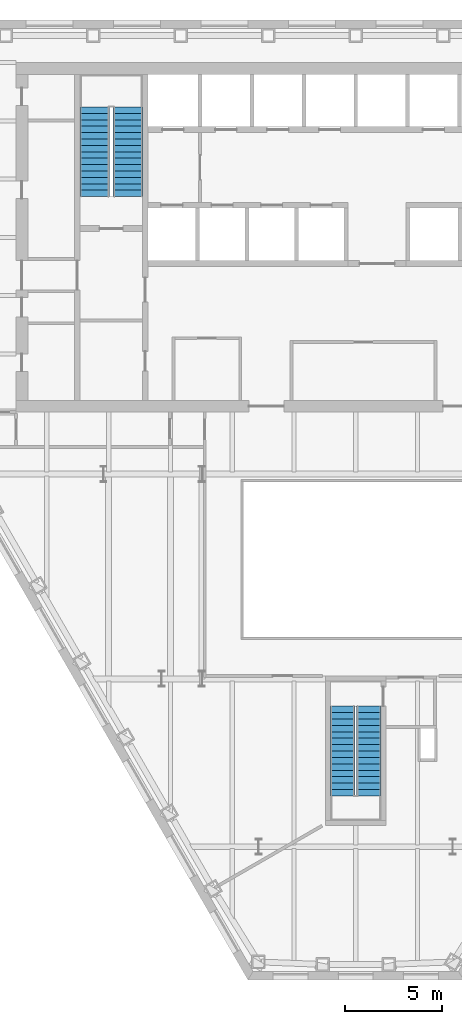
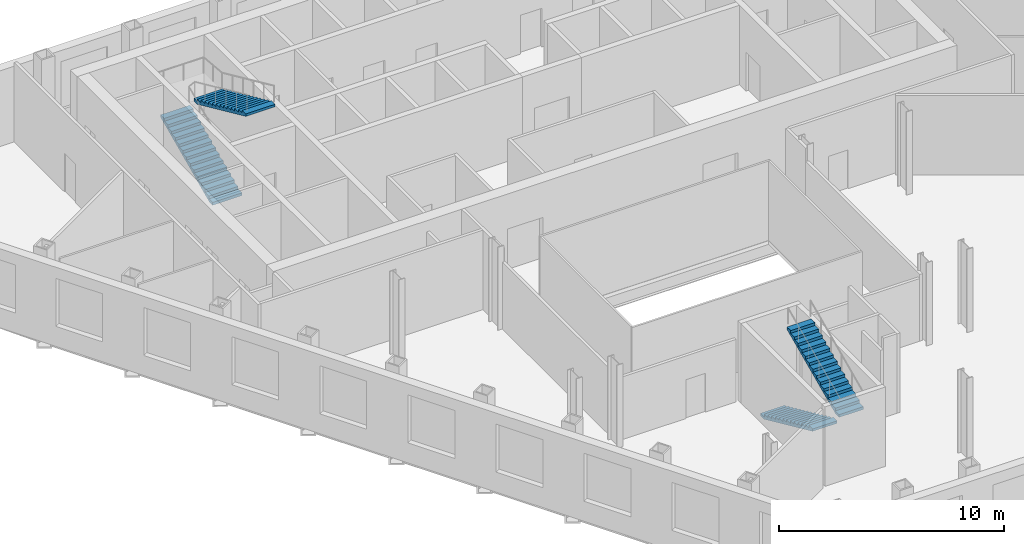
# One storey, part 10 of 12: 4 stair flights, 2 elements without a shape of their own.
"""IFC4 building model written with IfcOpenShell, lengths in metres."""

import ifcopenshell
import ifcopenshell.guid

model = None  # the IFC model being written
_history = None  # IfcOwnerHistory: only IFC2X3 demands one
_inside = {}  # id of a spatial element -> (the spatial element, [elements in it])
_under = {}  # id of a project, library or spatial element -> (it, [spatial elements below it])
_declared = {}  # id of a project -> (the project, [libraries it declares])
_typed = {}  # id of a type object -> (the type object, [elements of that type])
_made_of = {}  # id of a material, layer set ... -> (it, [elements and type objects made of it])


def new_model(schema):
    """Start an empty IFC model of exactly this schema.

    Asked for "IFC4X3", IfcOpenShell would pick the latest addendum, in which some entities
    have other attributes; the version numbers below select the first issue.
    IFC2X3 requires an IfcOwnerHistory on every rooted entity: one is made here for all.
    """
    global model, _history
    if schema == "IFC4X3":
        model = ifcopenshell.file(schema_version=(4, 3, 0, 0))
    else:
        model = ifcopenshell.file(schema=schema)
    _inside.clear()
    _under.clear()
    _declared.clear()
    _typed.clear()
    _made_of.clear()
    _history = None
    if model.schema == "IFC2X3":
        org = make("IfcOrganization", Name="unknown")
        user = make(
            "IfcPersonAndOrganization",
            ThePerson=make("IfcPerson", FamilyName="unknown"),
            TheOrganization=org,
        )
        app = make(
            "IfcApplication",
            ApplicationDeveloper=org,
            Version="unknown",
            ApplicationFullName="unknown",
            ApplicationIdentifier="unknown",
        )
        _history = make(
            "IfcOwnerHistory",
            OwningUser=user,
            OwningApplication=app,
            ChangeAction="ADDED",
            CreationDate=0,
        )
    return model


def make(cls, **values):
    """One entity of the class cls with the attributes given. An attribute that is None is left unset."""
    return model.create_entity(
        cls, **{name: value for name, value in values.items() if value is not None}
    )


def rooted(cls, **values):
    """An entity with a GlobalId (a new one), such as an element, a storey or a relation."""
    return make(cls, GlobalId=ifcopenshell.guid.new(), OwnerHistory=_history, **values)


def si_unit(unit_type, name, prefix=None):
    """IfcSIUnit, for example si_unit("LENGTHUNIT", "METRE", prefix="MILLI")."""
    return make("IfcSIUnit", UnitType=unit_type, Prefix=prefix, Name=name)


def assignment(units):
    """IfcUnitAssignment: the units of a project."""
    return None if units is None else make("IfcUnitAssignment", Units=units)


def point(xyz):
    """IfcCartesianPoint."""
    return None if xyz is None else make("IfcCartesianPoint", Coordinates=xyz)


def direction(xyz):
    """IfcDirection."""
    return None if xyz is None else make("IfcDirection", DirectionRatios=xyz)


def frame(location, z_axis=None, x_axis=None):
    """IfcAxis2Placement3D, a coordinate frame: its origin and axes. An axis left out is left unset."""
    return make(
        "IfcAxis2Placement3D",
        Location=point(location),
        Axis=direction(z_axis),
        RefDirection=direction(x_axis),
    )


def origin():
    """The frame at (0, 0, 0) with its axes left unset."""
    return frame((0.0, 0.0, 0.0))


def place(relative_to, where):
    """IfcLocalPlacement: puts the frame where relative to a parent placement (None: the world)."""
    return make(
        "IfcLocalPlacement", PlacementRelTo=relative_to, RelativePlacement=where
    )


def context(
    kind, dimensions, precision=None, world=None, true_north=None, identifier=None
):
    """IfcGeometricRepresentationContext, for example the 3D "Model" context."""
    return make(
        "IfcGeometricRepresentationContext",
        ContextIdentifier=identifier,
        ContextType=kind,
        CoordinateSpaceDimension=dimensions,
        Precision=precision,
        WorldCoordinateSystem=world,
        TrueNorth=true_north,
    )


def subcontext(parent, identifier, kind, view, scale=None):
    """IfcGeometricRepresentationSubContext, for example "Body" below "Model"."""
    return make(
        "IfcGeometricRepresentationSubContext",
        ContextIdentifier=identifier,
        ContextType=kind,
        ParentContext=parent,
        TargetScale=scale,
        TargetView=view,
    )


def project(units=None, contexts=None):
    """IfcProject with its units and contexts."""
    return rooted(
        "IfcProject",
        Name="project",
        RepresentationContexts=contexts,
        UnitsInContext=assignment(units),
    )


def spatial(cls, under=None, at=None, **own):
    """A site, building, storey or space (cls), placed at a placement, below another one or the project."""
    s = rooted(cls, ObjectPlacement=at, **own)
    if under is not None:
        _under.setdefault(under.id(), (under, []))[1].append(s)
    return s


def point_list(points):
    """IfcCartesianPointList2D or 3D."""
    cls = (
        "IfcCartesianPointList2D" if len(points[0]) == 2 else "IfcCartesianPointList3D"
    )
    return make(cls, CoordList=points)


def polygons(points, faces, closed=None, point_numbers=None):
    """IfcPolygonalFaceSet: a face is its outer loop, then its inner loops; points numbered from 1."""
    made = []
    for loops in faces:
        if len(loops) == 1:
            made.append(make("IfcIndexedPolygonalFace", CoordIndex=loops[0]))
        else:
            made.append(
                make(
                    "IfcIndexedPolygonalFaceWithVoids",
                    CoordIndex=loops[0],
                    InnerCoordIndices=loops[1:],
                )
            )
    return make(
        "IfcPolygonalFaceSet",
        Coordinates=point_list(points),
        Closed=closed,
        Faces=made,
        PnIndex=point_numbers,
    )


def shape(context_of_items, identifier, shape_type, items):
    """IfcShapeRepresentation: the items that make up one representation, for example the "Body"."""
    return make(
        "IfcShapeRepresentation",
        ContextOfItems=context_of_items,
        RepresentationIdentifier=identifier,
        RepresentationType=shape_type,
        Items=items,
    )


def material(Name=None, Category=None):
    """IfcMaterial."""
    return make("IfcMaterial", Name=Name, Category=Category)


def made_of(thing, what):
    """Note that an element or type object is made of a material, layer set ...; save() writes the relation."""
    if what is not None:
        _made_of.setdefault(what.id(), (what, []))[1].append(thing)
    return thing


def type_object(cls, material=None, **own):
    """A type object (cls), such as IfcWallType, which elements share."""
    return made_of(rooted(cls, **own), material)


def element(
    cls,
    number,
    at=None,
    inside=None,
    cuts=None,
    type_object=None,
    material=None,
    context=None,
    identifier="Body",
    shape_type=None,
    held_by="IfcProductDefinitionShape",
    body=None,
    shapes=None,
    **own,
):
    """One element of the class cls, such as IfcWall. Its Tag is "e" and its number.

    at: its placement. inside: the storey or other place that contains it. cuts: it is an
    opening in that element (IfcRelVoidsElement). A single representation is given by context,
    identifier, shape_type and body (its items); several are given by shapes. held_by: the class
    of the entity that holds the representations. save() writes the other relations.
    """
    e = rooted(cls, Tag="e%d" % number, ObjectPlacement=at, **own)
    if body is not None:
        shapes = [shape(context, identifier, shape_type, body)]
    if shapes is not None:
        e.Representation = make(held_by, Representations=shapes)
    if inside is not None:
        _inside.setdefault(inside.id(), (inside, []))[1].append(e)
    if cuts is not None:
        rooted(
            "IfcRelVoidsElement", RelatingBuildingElement=cuts, RelatedOpeningElement=e
        )
    if type_object is not None:
        _typed.setdefault(type_object.id(), (type_object, []))[1].append(e)
    return made_of(e, material)


def aggregate(whole, parts):
    """IfcRelAggregates: a whole, such as a stair, and the parts it consists of."""
    return rooted("IfcRelAggregates", RelatingObject=whole, RelatedObjects=parts)


def save(model, path):
    """Write the relations noted so far, then the file.

    IfcRelAggregates (storeys below a building ...), IfcRelContainedInSpatialStructure (elements
    in a storey), IfcRelDefinesByType, IfcRelAssociatesMaterial and IfcRelDeclares: one each for
    every whole, place, type object, material and project.
    """
    for whole, parts in _under.values():
        aggregate(whole, parts)
    for where, things in _inside.values():
        rooted(
            "IfcRelContainedInSpatialStructure",
            RelatedElements=things,
            RelatingStructure=where,
        )
    for kind, things in _typed.values():
        rooted("IfcRelDefinesByType", RelatedObjects=things, RelatingType=kind)
    for what, things in _made_of.values():
        rooted("IfcRelAssociatesMaterial", RelatedObjects=things, RelatingMaterial=what)
    for by, libraries in _declared.values():
        rooted("IfcRelDeclares", RelatingContext=by, RelatedDefinitions=libraries)
    model.write(path)


model = new_model("IFC4")

# Units and contexts
model_context = context("Model", 3, precision=1e-05, world=origin(), true_north=direction((0.0, 1.0)))
body_context = subcontext(model_context, "Body", "Model", "MODEL_VIEW")
ifc_project = project(units=[si_unit("LENGTHUNIT", "METRE"), si_unit("AREAUNIT", "SQUARE_METRE"), si_unit("VOLUMEUNIT", "CUBIC_METRE"), si_unit("PLANEANGLEUNIT", "RADIAN"), si_unit("MASSUNIT", "GRAM", prefix="KILO")], contexts=[model_context])

# Site, building, storey
site_placement = place(None, origin())
site = spatial("IfcSite", under=ifc_project, at=site_placement, CompositionType="ELEMENT")
building_placement = place(site_placement, origin())
building = spatial("IfcBuilding", under=site, at=building_placement, Name="Njiva Tower", CompositionType="ELEMENT")
storey_placement = place(building_placement, frame((0.0, 0.0, 60.3)))
storey = spatial("IfcBuildingStorey", under=building, at=storey_placement, Name="L12", CompositionType="ELEMENT", Elevation=60.3)

# Stair, stair flights
ifc_material = material(Name="Concrete C40/50", Category="concrete")
stair_type_1 = type_object("IfcStairType", Name="ST1 Exit stair 1250", PredefinedType="HALF_TURN_STAIR", material=ifc_material)
stair_1_placement = place(storey_placement, origin())
stair_1 = element("IfcStair", 1, at=stair_1_placement, inside=storey, type_object=stair_type_1, Name="Stair C", PredefinedType="HALF_TURN_STAIR")
stair_flight_type_1 = type_object("IfcStairFlightType", Name="FL1 Stair flight 1250", PredefinedType="STRAIGHT", material=ifc_material)
stair_flight_1_placement = place(storey_placement, frame((-0.675, -15.16, 0.0), z_axis=(0.0, 0.0, 1.0), x_axis=(0.0, -1.0, 0.0)))
stair_flight_1 = element("IfcStairFlight", 2, at=stair_flight_1_placement, type_object=stair_flight_type_1, Name="ST-C flight 1", NumberOfRisers=15, NumberOfTreads=14, PredefinedType="STRAIGHT", RiserHeight=0.15, TreadLength=0.33, context=body_context, shape_type="Tessellation", body=[
    polygons([(0.0, 0.625, 0.0), (0.0, 0.3125, 0.0), (0.0, 0.0, 0.0), (0.0, -0.3125, 0.0), (0.0, -0.625, 0.0), (0.0, 0.625, 0.15), (0.0, 0.3125, 0.15), (0.0, 0.0, 0.15), (0.0, -0.3125, 0.15), (0.0, -0.625, 0.15), (0.33, 0.625, 0.15), (0.33, 0.3125, 0.15), (0.33, 0.0, 0.15), (0.33, -0.3125, 0.15), (0.33, -0.625, 0.15), (0.33, 0.625, 0.3), (0.33, 0.3125, 0.3), (0.33, 0.0, 0.3), (0.33, -0.3125, 0.3), (0.33, -0.625, 0.3), (0.66, 0.625, 0.3), (0.66, 0.3125, 0.3), (0.66, 0.0, 0.3), (0.66, -0.3125, 0.3), (0.66, -0.625, 0.3), (0.66, 0.625, 0.45), (0.66, 0.3125, 0.45), (0.66, 0.0, 0.45), (0.66, -0.3125, 0.45), (0.66, -0.625, 0.45), (0.99, 0.625, 0.45), (0.99, 0.3125, 0.45), (0.99, 0.0, 0.45), (0.99, -0.3125, 0.45), (0.99, -0.625, 0.45), (0.99, 0.625, 0.6), (0.99, 0.3125, 0.6), (0.99, 0.0, 0.6), (0.99, -0.3125, 0.6), (0.99, -0.625, 0.6), (1.32, 0.625, 0.6), (1.32, 0.3125, 0.6), (1.32, 0.0, 0.6), (1.32, -0.3125, 0.6), (1.32, -0.625, 0.6), (1.32, 0.625, 0.75), (1.32, 0.3125, 0.75), (1.32, 0.0, 0.75), (1.32, -0.3125, 0.75), (1.32, -0.625, 0.75), (1.65, 0.625, 0.75), (1.65, 0.3125, 0.75), (1.65, 0.0, 0.75), (1.65, -0.3125, 0.75), (1.65, -0.625, 0.75), (1.65, 0.625, 0.9), (1.65, 0.3125, 0.9), (1.65, 0.0, 0.9), (1.65, -0.3125, 0.9), (1.65, -0.625, 0.9), (1.98, 0.625, 0.9), (1.98, 0.3125, 0.9), (1.98, 0.0, 0.9), (1.98, -0.3125, 0.9), (1.98, -0.625, 0.9), (1.98, 0.625, 1.05), (1.98, 0.3125, 1.05), (1.98, 0.0, 1.05), (1.98, -0.3125, 1.05), (1.98, -0.625, 1.05), (2.31, 0.625, 1.05), (2.31, 0.3125, 1.05), (2.31, 0.0, 1.05), (2.31, -0.3125, 1.05), (2.31, -0.625, 1.05), (2.31, 0.625, 1.2), (2.31, 0.3125, 1.2), (2.31, 0.0, 1.2), (2.31, -0.3125, 1.2), (2.31, -0.625, 1.2), (2.64, 0.625, 1.2), (2.64, 0.3125, 1.2), (2.64, 0.0, 1.2), (2.64, -0.3125, 1.2), (2.64, -0.625, 1.2), (2.64, 0.625, 1.35), (2.64, 0.3125, 1.35), (2.64, 0.0, 1.35), (2.64, -0.3125, 1.35), (2.64, -0.625, 1.35), (2.97, 0.625, 1.35), (2.97, 0.3125, 1.35), (2.97, 0.0, 1.35), (2.97, -0.3125, 1.35), (2.97, -0.625, 1.35), (2.97, 0.625, 1.5), (2.97, 0.3125, 1.5), (2.97, 0.0, 1.5), (2.97, -0.3125, 1.5), (2.97, -0.625, 1.5), (3.3, 0.625, 1.5), (3.3, 0.3125, 1.5), (3.3, 0.0, 1.5), (3.3, -0.3125, 1.5), (3.3, -0.625, 1.5), (3.3, 0.625, 1.65), (3.3, 0.3125, 1.65), (3.3, 0.0, 1.65), (3.3, -0.3125, 1.65), (3.3, -0.625, 1.65), (3.63, 0.625, 1.65), (3.63, 0.3125, 1.65), (3.63, 0.0, 1.65), (3.63, -0.3125, 1.65), (3.63, -0.625, 1.65), (3.63, 0.625, 1.8), (3.63, 0.3125, 1.8), (3.63, 0.0, 1.8), (3.63, -0.3125, 1.8), (3.63, -0.625, 1.8), (3.96, 0.625, 1.8), (3.96, 0.3125, 1.8), (3.96, 0.0, 1.8), (3.96, -0.3125, 1.8), (3.96, -0.625, 1.8), (3.96, 0.625, 1.95), (3.96, 0.3125, 1.95), (3.96, 0.0, 1.95), (3.96, -0.3125, 1.95), (3.96, -0.625, 1.95), (4.29, 0.625, 1.95), (4.29, 0.3125, 1.95), (4.29, 0.0, 1.95), (4.29, -0.3125, 1.95), (4.29, -0.625, 1.95), (4.29, 0.625, 2.1), (4.29, 0.3125, 2.1), (4.29, 0.0, 2.1), (4.29, -0.3125, 2.1), (4.29, -0.625, 2.1), (4.62, 0.625, 2.1), (4.62, 0.3125, 2.1), (4.62, 0.0, 2.1), (4.62, -0.3125, 2.1), (4.62, -0.625, 2.1), (4.62, 0.625, 1.9682), (4.62, 0.3125, 1.9682), (4.62, 0.0, 1.9682), (4.62, -0.3125, 1.9682), (4.62, -0.625, 1.9682), (0.29, 0.625, 0.0), (0.29, 0.3125, 0.0), (0.29, 0.0, 0.0), (0.29, -0.3125, 0.0), (0.29, -0.625, 0.0)], [[[1, 6, 11, 16, 21, 26, 31, 36, 41, 46, 51, 56, 61, 66, 71, 76, 81, 86, 91, 96, 101, 106, 111, 116, 121, 126, 131, 136, 141, 146, 151]], [[155, 150, 145, 140, 135, 130, 125, 120, 115, 110, 105, 100, 95, 90, 85, 80, 75, 70, 65, 60, 55, 50, 45, 40, 35, 30, 25, 20, 15, 10, 5]], [[6, 1, 2, 7]], [[7, 2, 3, 8]], [[8, 3, 4, 9]], [[9, 4, 5, 10]], [[11, 6, 7, 12]], [[12, 7, 8, 13]], [[13, 8, 9, 14]], [[14, 9, 10, 15]], [[16, 11, 12, 17]], [[17, 12, 13, 18]], [[18, 13, 14, 19]], [[19, 14, 15, 20]], [[21, 16, 17, 22]], [[22, 17, 18, 23]], [[23, 18, 19, 24]], [[24, 19, 20, 25]], [[26, 21, 22, 27]], [[27, 22, 23, 28]], [[28, 23, 24, 29]], [[29, 24, 25, 30]], [[31, 26, 27, 32]], [[32, 27, 28, 33]], [[33, 28, 29, 34]], [[34, 29, 30, 35]], [[36, 31, 32, 37]], [[37, 32, 33, 38]], [[38, 33, 34, 39]], [[39, 34, 35, 40]], [[41, 36, 37, 42]], [[42, 37, 38, 43]], [[43, 38, 39, 44]], [[44, 39, 40, 45]], [[46, 41, 42, 47]], [[47, 42, 43, 48]], [[48, 43, 44, 49]], [[49, 44, 45, 50]], [[51, 46, 47, 52]], [[52, 47, 48, 53]], [[53, 48, 49, 54]], [[54, 49, 50, 55]], [[56, 51, 52, 57]], [[57, 52, 53, 58]], [[58, 53, 54, 59]], [[59, 54, 55, 60]], [[61, 56, 57, 62]], [[62, 57, 58, 63]], [[63, 58, 59, 64]], [[64, 59, 60, 65]], [[66, 61, 62, 67]], [[67, 62, 63, 68]], [[68, 63, 64, 69]], [[69, 64, 65, 70]], [[71, 66, 67, 72]], [[72, 67, 68, 73]], [[73, 68, 69, 74]], [[74, 69, 70, 75]], [[76, 71, 72, 77]], [[77, 72, 73, 78]], [[78, 73, 74, 79]], [[79, 74, 75, 80]], [[81, 76, 77, 82]], [[82, 77, 78, 83]], [[83, 78, 79, 84]], [[84, 79, 80, 85]], [[86, 81, 82, 87]], [[87, 82, 83, 88]], [[88, 83, 84, 89]], [[89, 84, 85, 90]], [[91, 86, 87, 92]], [[92, 87, 88, 93]], [[93, 88, 89, 94]], [[94, 89, 90, 95]], [[96, 91, 92, 97]], [[97, 92, 93, 98]], [[98, 93, 94, 99]], [[99, 94, 95, 100]], [[101, 96, 97, 102]], [[102, 97, 98, 103]], [[103, 98, 99, 104]], [[104, 99, 100, 105]], [[106, 101, 102, 107]], [[107, 102, 103, 108]], [[108, 103, 104, 109]], [[109, 104, 105, 110]], [[111, 106, 107, 112]], [[112, 107, 108, 113]], [[113, 108, 109, 114]], [[114, 109, 110, 115]], [[116, 111, 112, 117]], [[117, 112, 113, 118]], [[118, 113, 114, 119]], [[119, 114, 115, 120]], [[121, 116, 117, 122]], [[122, 117, 118, 123]], [[123, 118, 119, 124]], [[124, 119, 120, 125]], [[126, 121, 122, 127]], [[127, 122, 123, 128]], [[128, 123, 124, 129]], [[129, 124, 125, 130]], [[131, 126, 127, 132]], [[132, 127, 128, 133]], [[133, 128, 129, 134]], [[134, 129, 130, 135]], [[136, 131, 132, 137]], [[137, 132, 133, 138]], [[138, 133, 134, 139]], [[139, 134, 135, 140]], [[141, 136, 137, 142]], [[142, 137, 138, 143]], [[143, 138, 139, 144]], [[144, 139, 140, 145]], [[146, 141, 142, 147]], [[147, 142, 143, 148]], [[148, 143, 144, 149]], [[149, 144, 145, 150]], [[151, 146, 147, 152]], [[152, 147, 148, 153]], [[153, 148, 149, 154]], [[154, 149, 150, 155]], [[1, 151, 152, 2]], [[2, 152, 153, 3]], [[3, 153, 154, 4]], [[4, 154, 155, 5]]], closed=True),
])
stair_flight_2_placement = place(storey_placement, frame((0.675, -19.78, 2.25), z_axis=(0.0, 0.0, 1.0), x_axis=(0.0, 1.0, 0.0)))
stair_flight_2 = element("IfcStairFlight", 3, at=stair_flight_2_placement, type_object=stair_flight_type_1, Name="ST-C flight 2", NumberOfRisers=15, NumberOfTreads=14, PredefinedType="STRAIGHT", RiserHeight=0.15, TreadLength=0.33, context=body_context, shape_type="Tessellation", body=[
    polygons([(0.0, 0.625, 0.0), (0.0, 0.3125, 0.0), (0.0, 0.0, 0.0), (0.0, -0.3125, 0.0), (0.0, -0.625, 0.0), (0.0, 0.625, 0.15), (0.0, 0.3125, 0.15), (0.0, 0.0, 0.15), (0.0, -0.3125, 0.15), (0.0, -0.625, 0.15), (0.33, 0.625, 0.15), (0.33, 0.3125, 0.15), (0.33, 0.0, 0.15), (0.33, -0.3125, 0.15), (0.33, -0.625, 0.15), (0.33, 0.625, 0.3), (0.33, 0.3125, 0.3), (0.33, 0.0, 0.3), (0.33, -0.3125, 0.3), (0.33, -0.625, 0.3), (0.66, 0.625, 0.3), (0.66, 0.3125, 0.3), (0.66, 0.0, 0.3), (0.66, -0.3125, 0.3), (0.66, -0.625, 0.3), (0.66, 0.625, 0.45), (0.66, 0.3125, 0.45), (0.66, 0.0, 0.45), (0.66, -0.3125, 0.45), (0.66, -0.625, 0.45), (0.99, 0.625, 0.45), (0.99, 0.3125, 0.45), (0.99, 0.0, 0.45), (0.99, -0.3125, 0.45), (0.99, -0.625, 0.45), (0.99, 0.625, 0.6), (0.99, 0.3125, 0.6), (0.99, 0.0, 0.6), (0.99, -0.3125, 0.6), (0.99, -0.625, 0.6), (1.32, 0.625, 0.6), (1.32, 0.3125, 0.6), (1.32, 0.0, 0.6), (1.32, -0.3125, 0.6), (1.32, -0.625, 0.6), (1.32, 0.625, 0.75), (1.32, 0.3125, 0.75), (1.32, 0.0, 0.75), (1.32, -0.3125, 0.75), (1.32, -0.625, 0.75), (1.65, 0.625, 0.75), (1.65, 0.3125, 0.75), (1.65, 0.0, 0.75), (1.65, -0.3125, 0.75), (1.65, -0.625, 0.75), (1.65, 0.625, 0.9), (1.65, 0.3125, 0.9), (1.65, 0.0, 0.9), (1.65, -0.3125, 0.9), (1.65, -0.625, 0.9), (1.98, 0.625, 0.9), (1.98, 0.3125, 0.9), (1.98, 0.0, 0.9), (1.98, -0.3125, 0.9), (1.98, -0.625, 0.9), (1.98, 0.625, 1.05), (1.98, 0.3125, 1.05), (1.98, 0.0, 1.05), (1.98, -0.3125, 1.05), (1.98, -0.625, 1.05), (2.31, 0.625, 1.05), (2.31, 0.3125, 1.05), (2.31, 0.0, 1.05), (2.31, -0.3125, 1.05), (2.31, -0.625, 1.05), (2.31, 0.625, 1.2), (2.31, 0.3125, 1.2), (2.31, 0.0, 1.2), (2.31, -0.3125, 1.2), (2.31, -0.625, 1.2), (2.64, 0.625, 1.2), (2.64, 0.3125, 1.2), (2.64, 0.0, 1.2), (2.64, -0.3125, 1.2), (2.64, -0.625, 1.2), (2.64, 0.625, 1.35), (2.64, 0.3125, 1.35), (2.64, 0.0, 1.35), (2.64, -0.3125, 1.35), (2.64, -0.625, 1.35), (2.97, 0.625, 1.35), (2.97, 0.3125, 1.35), (2.97, 0.0, 1.35), (2.97, -0.3125, 1.35), (2.97, -0.625, 1.35), (2.97, 0.625, 1.5), (2.97, 0.3125, 1.5), (2.97, 0.0, 1.5), (2.97, -0.3125, 1.5), (2.97, -0.625, 1.5), (3.3, 0.625, 1.5), (3.3, 0.3125, 1.5), (3.3, 0.0, 1.5), (3.3, -0.3125, 1.5), (3.3, -0.625, 1.5), (3.3, 0.625, 1.65), (3.3, 0.3125, 1.65), (3.3, 0.0, 1.65), (3.3, -0.3125, 1.65), (3.3, -0.625, 1.65), (3.63, 0.625, 1.65), (3.63, 0.3125, 1.65), (3.63, 0.0, 1.65), (3.63, -0.3125, 1.65), (3.63, -0.625, 1.65), (3.63, 0.625, 1.8), (3.63, 0.3125, 1.8), (3.63, 0.0, 1.8), (3.63, -0.3125, 1.8), (3.63, -0.625, 1.8), (3.96, 0.625, 1.8), (3.96, 0.3125, 1.8), (3.96, 0.0, 1.8), (3.96, -0.3125, 1.8), (3.96, -0.625, 1.8), (3.96, 0.625, 1.95), (3.96, 0.3125, 1.95), (3.96, 0.0, 1.95), (3.96, -0.3125, 1.95), (3.96, -0.625, 1.95), (4.29, 0.625, 1.95), (4.29, 0.3125, 1.95), (4.29, 0.0, 1.95), (4.29, -0.3125, 1.95), (4.29, -0.625, 1.95), (4.29, 0.625, 2.1), (4.29, 0.3125, 2.1), (4.29, 0.0, 2.1), (4.29, -0.3125, 2.1), (4.29, -0.625, 2.1), (4.62, 0.625, 2.1), (4.62, 0.3125, 2.1), (4.62, 0.0, 2.1), (4.62, -0.3125, 2.1), (4.62, -0.625, 2.1), (4.62, 0.625, 1.9682), (4.62, 0.3125, 1.9682), (4.62, 0.0, 1.9682), (4.62, -0.3125, 1.9682), (4.62, -0.625, 1.9682), (0.29, 0.625, 0.0), (0.29, 0.3125, 0.0), (0.29, 0.0, 0.0), (0.29, -0.3125, 0.0), (0.29, -0.625, 0.0)], [[[1, 6, 11, 16, 21, 26, 31, 36, 41, 46, 51, 56, 61, 66, 71, 76, 81, 86, 91, 96, 101, 106, 111, 116, 121, 126, 131, 136, 141, 146, 151]], [[155, 150, 145, 140, 135, 130, 125, 120, 115, 110, 105, 100, 95, 90, 85, 80, 75, 70, 65, 60, 55, 50, 45, 40, 35, 30, 25, 20, 15, 10, 5]], [[6, 1, 2, 7]], [[7, 2, 3, 8]], [[8, 3, 4, 9]], [[9, 4, 5, 10]], [[11, 6, 7, 12]], [[12, 7, 8, 13]], [[13, 8, 9, 14]], [[14, 9, 10, 15]], [[16, 11, 12, 17]], [[17, 12, 13, 18]], [[18, 13, 14, 19]], [[19, 14, 15, 20]], [[21, 16, 17, 22]], [[22, 17, 18, 23]], [[23, 18, 19, 24]], [[24, 19, 20, 25]], [[26, 21, 22, 27]], [[27, 22, 23, 28]], [[28, 23, 24, 29]], [[29, 24, 25, 30]], [[31, 26, 27, 32]], [[32, 27, 28, 33]], [[33, 28, 29, 34]], [[34, 29, 30, 35]], [[36, 31, 32, 37]], [[37, 32, 33, 38]], [[38, 33, 34, 39]], [[39, 34, 35, 40]], [[41, 36, 37, 42]], [[42, 37, 38, 43]], [[43, 38, 39, 44]], [[44, 39, 40, 45]], [[46, 41, 42, 47]], [[47, 42, 43, 48]], [[48, 43, 44, 49]], [[49, 44, 45, 50]], [[51, 46, 47, 52]], [[52, 47, 48, 53]], [[53, 48, 49, 54]], [[54, 49, 50, 55]], [[56, 51, 52, 57]], [[57, 52, 53, 58]], [[58, 53, 54, 59]], [[59, 54, 55, 60]], [[61, 56, 57, 62]], [[62, 57, 58, 63]], [[63, 58, 59, 64]], [[64, 59, 60, 65]], [[66, 61, 62, 67]], [[67, 62, 63, 68]], [[68, 63, 64, 69]], [[69, 64, 65, 70]], [[71, 66, 67, 72]], [[72, 67, 68, 73]], [[73, 68, 69, 74]], [[74, 69, 70, 75]], [[76, 71, 72, 77]], [[77, 72, 73, 78]], [[78, 73, 74, 79]], [[79, 74, 75, 80]], [[81, 76, 77, 82]], [[82, 77, 78, 83]], [[83, 78, 79, 84]], [[84, 79, 80, 85]], [[86, 81, 82, 87]], [[87, 82, 83, 88]], [[88, 83, 84, 89]], [[89, 84, 85, 90]], [[91, 86, 87, 92]], [[92, 87, 88, 93]], [[93, 88, 89, 94]], [[94, 89, 90, 95]], [[96, 91, 92, 97]], [[97, 92, 93, 98]], [[98, 93, 94, 99]], [[99, 94, 95, 100]], [[101, 96, 97, 102]], [[102, 97, 98, 103]], [[103, 98, 99, 104]], [[104, 99, 100, 105]], [[106, 101, 102, 107]], [[107, 102, 103, 108]], [[108, 103, 104, 109]], [[109, 104, 105, 110]], [[111, 106, 107, 112]], [[112, 107, 108, 113]], [[113, 108, 109, 114]], [[114, 109, 110, 115]], [[116, 111, 112, 117]], [[117, 112, 113, 118]], [[118, 113, 114, 119]], [[119, 114, 115, 120]], [[121, 116, 117, 122]], [[122, 117, 118, 123]], [[123, 118, 119, 124]], [[124, 119, 120, 125]], [[126, 121, 122, 127]], [[127, 122, 123, 128]], [[128, 123, 124, 129]], [[129, 124, 125, 130]], [[131, 126, 127, 132]], [[132, 127, 128, 133]], [[133, 128, 129, 134]], [[134, 129, 130, 135]], [[136, 131, 132, 137]], [[137, 132, 133, 138]], [[138, 133, 134, 139]], [[139, 134, 135, 140]], [[141, 136, 137, 142]], [[142, 137, 138, 143]], [[143, 138, 139, 144]], [[144, 139, 140, 145]], [[146, 141, 142, 147]], [[147, 142, 143, 148]], [[148, 143, 144, 149]], [[149, 144, 145, 150]], [[151, 146, 147, 152]], [[152, 147, 148, 153]], [[153, 148, 149, 154]], [[154, 149, 150, 155]], [[1, 151, 152, 2]], [[2, 152, 153, 3]], [[3, 153, 154, 4]], [[4, 154, 155, 5]]], closed=True),
])
aggregate(stair_1, [stair_flight_1, stair_flight_2])

stair_type_2 = type_object("IfcStairType", Name="ST4 Exit stair 1500", PredefinedType="HALF_TURN_STAIR", material=ifc_material)
stair_2_placement = place(storey_placement, origin())
stair_2 = element("IfcStair", 4, at=stair_2_placement, inside=storey, type_object=stair_type_2, Name="Stair A", PredefinedType="HALF_TURN_STAIR")
stair_flight_type_2 = type_object("IfcStairFlightType", Name="FL4 Stair flight 1500", PredefinedType="STRAIGHT", material=ifc_material)
stair_flight_3_placement = place(storey_placement, frame((-13.45, 11.1, 0.0), z_axis=(0.0, 0.0, 1.0), x_axis=(0.0, 1.0, 0.0)))
stair_flight_3 = element("IfcStairFlight", 5, at=stair_flight_3_placement, type_object=stair_flight_type_2, Name="ST-A flight 1", NumberOfRisers=15, NumberOfTreads=14, PredefinedType="STRAIGHT", RiserHeight=0.15, TreadLength=0.33, context=body_context, shape_type="Tessellation", body=[
    polygons([(0.0, 0.75, 0.0), (0.0, 0.375, 0.0), (0.0, 0.0, 0.0), (0.0, -0.375, 0.0), (0.0, -0.75, 0.0), (0.0, 0.75, 0.15), (0.0, 0.375, 0.15), (0.0, 0.0, 0.15), (0.0, -0.375, 0.15), (0.0, -0.75, 0.15), (0.33, 0.75, 0.15), (0.33, 0.375, 0.15), (0.33, 0.0, 0.15), (0.33, -0.375, 0.15), (0.33, -0.75, 0.15), (0.33, 0.75, 0.3), (0.33, 0.375, 0.3), (0.33, 0.0, 0.3), (0.33, -0.375, 0.3), (0.33, -0.75, 0.3), (0.66, 0.75, 0.3), (0.66, 0.375, 0.3), (0.66, 0.0, 0.3), (0.66, -0.375, 0.3), (0.66, -0.75, 0.3), (0.66, 0.75, 0.45), (0.66, 0.375, 0.45), (0.66, 0.0, 0.45), (0.66, -0.375, 0.45), (0.66, -0.75, 0.45), (0.99, 0.75, 0.45), (0.99, 0.375, 0.45), (0.99, 0.0, 0.45), (0.99, -0.375, 0.45), (0.99, -0.75, 0.45), (0.99, 0.75, 0.6), (0.99, 0.375, 0.6), (0.99, 0.0, 0.6), (0.99, -0.375, 0.6), (0.99, -0.75, 0.6), (1.32, 0.75, 0.6), (1.32, 0.375, 0.6), (1.32, 0.0, 0.6), (1.32, -0.375, 0.6), (1.32, -0.75, 0.6), (1.32, 0.75, 0.75), (1.32, 0.375, 0.75), (1.32, 0.0, 0.75), (1.32, -0.375, 0.75), (1.32, -0.75, 0.75), (1.65, 0.75, 0.75), (1.65, 0.375, 0.75), (1.65, 0.0, 0.75), (1.65, -0.375, 0.75), (1.65, -0.75, 0.75), (1.65, 0.75, 0.9), (1.65, 0.375, 0.9), (1.65, 0.0, 0.9), (1.65, -0.375, 0.9), (1.65, -0.75, 0.9), (1.98, 0.75, 0.9), (1.98, 0.375, 0.9), (1.98, 0.0, 0.9), (1.98, -0.375, 0.9), (1.98, -0.75, 0.9), (1.98, 0.75, 1.05), (1.98, 0.375, 1.05), (1.98, 0.0, 1.05), (1.98, -0.375, 1.05), (1.98, -0.75, 1.05), (2.31, 0.75, 1.05), (2.31, 0.375, 1.05), (2.31, 0.0, 1.05), (2.31, -0.375, 1.05), (2.31, -0.75, 1.05), (2.31, 0.75, 1.2), (2.31, 0.375, 1.2), (2.31, 0.0, 1.2), (2.31, -0.375, 1.2), (2.31, -0.75, 1.2), (2.64, 0.75, 1.2), (2.64, 0.375, 1.2), (2.64, 0.0, 1.2), (2.64, -0.375, 1.2), (2.64, -0.75, 1.2), (2.64, 0.75, 1.35), (2.64, 0.375, 1.35), (2.64, 0.0, 1.35), (2.64, -0.375, 1.35), (2.64, -0.75, 1.35), (2.97, 0.75, 1.35), (2.97, 0.375, 1.35), (2.97, 0.0, 1.35), (2.97, -0.375, 1.35), (2.97, -0.75, 1.35), (2.97, 0.75, 1.5), (2.97, 0.375, 1.5), (2.97, 0.0, 1.5), (2.97, -0.375, 1.5), (2.97, -0.75, 1.5), (3.3, 0.75, 1.5), (3.3, 0.375, 1.5), (3.3, 0.0, 1.5), (3.3, -0.375, 1.5), (3.3, -0.75, 1.5), (3.3, 0.75, 1.65), (3.3, 0.375, 1.65), (3.3, 0.0, 1.65), (3.3, -0.375, 1.65), (3.3, -0.75, 1.65), (3.63, 0.75, 1.65), (3.63, 0.375, 1.65), (3.63, 0.0, 1.65), (3.63, -0.375, 1.65), (3.63, -0.75, 1.65), (3.63, 0.75, 1.8), (3.63, 0.375, 1.8), (3.63, 0.0, 1.8), (3.63, -0.375, 1.8), (3.63, -0.75, 1.8), (3.96, 0.75, 1.8), (3.96, 0.375, 1.8), (3.96, 0.0, 1.8), (3.96, -0.375, 1.8), (3.96, -0.75, 1.8), (3.96, 0.75, 1.95), (3.96, 0.375, 1.95), (3.96, 0.0, 1.95), (3.96, -0.375, 1.95), (3.96, -0.75, 1.95), (4.29, 0.75, 1.95), (4.29, 0.375, 1.95), (4.29, 0.0, 1.95), (4.29, -0.375, 1.95), (4.29, -0.75, 1.95), (4.29, 0.75, 2.1), (4.29, 0.375, 2.1), (4.29, 0.0, 2.1), (4.29, -0.375, 2.1), (4.29, -0.75, 2.1), (4.62, 0.75, 2.1), (4.62, 0.375, 2.1), (4.62, 0.0, 2.1), (4.62, -0.375, 2.1), (4.62, -0.75, 2.1), (4.62, 0.75, 1.9682), (4.62, 0.375, 1.9682), (4.62, 0.0, 1.9682), (4.62, -0.375, 1.9682), (4.62, -0.75, 1.9682), (0.29, 0.75, 0.0), (0.29, 0.375, 0.0), (0.29, 0.0, 0.0), (0.29, -0.375, 0.0), (0.29, -0.75, 0.0)], [[[1, 6, 11, 16, 21, 26, 31, 36, 41, 46, 51, 56, 61, 66, 71, 76, 81, 86, 91, 96, 101, 106, 111, 116, 121, 126, 131, 136, 141, 146, 151]], [[155, 150, 145, 140, 135, 130, 125, 120, 115, 110, 105, 100, 95, 90, 85, 80, 75, 70, 65, 60, 55, 50, 45, 40, 35, 30, 25, 20, 15, 10, 5]], [[6, 1, 2, 7]], [[7, 2, 3, 8]], [[8, 3, 4, 9]], [[9, 4, 5, 10]], [[11, 6, 7, 12]], [[12, 7, 8, 13]], [[13, 8, 9, 14]], [[14, 9, 10, 15]], [[16, 11, 12, 17]], [[17, 12, 13, 18]], [[18, 13, 14, 19]], [[19, 14, 15, 20]], [[21, 16, 17, 22]], [[22, 17, 18, 23]], [[23, 18, 19, 24]], [[24, 19, 20, 25]], [[26, 21, 22, 27]], [[27, 22, 23, 28]], [[28, 23, 24, 29]], [[29, 24, 25, 30]], [[31, 26, 27, 32]], [[32, 27, 28, 33]], [[33, 28, 29, 34]], [[34, 29, 30, 35]], [[36, 31, 32, 37]], [[37, 32, 33, 38]], [[38, 33, 34, 39]], [[39, 34, 35, 40]], [[41, 36, 37, 42]], [[42, 37, 38, 43]], [[43, 38, 39, 44]], [[44, 39, 40, 45]], [[46, 41, 42, 47]], [[47, 42, 43, 48]], [[48, 43, 44, 49]], [[49, 44, 45, 50]], [[51, 46, 47, 52]], [[52, 47, 48, 53]], [[53, 48, 49, 54]], [[54, 49, 50, 55]], [[56, 51, 52, 57]], [[57, 52, 53, 58]], [[58, 53, 54, 59]], [[59, 54, 55, 60]], [[61, 56, 57, 62]], [[62, 57, 58, 63]], [[63, 58, 59, 64]], [[64, 59, 60, 65]], [[66, 61, 62, 67]], [[67, 62, 63, 68]], [[68, 63, 64, 69]], [[69, 64, 65, 70]], [[71, 66, 67, 72]], [[72, 67, 68, 73]], [[73, 68, 69, 74]], [[74, 69, 70, 75]], [[76, 71, 72, 77]], [[77, 72, 73, 78]], [[78, 73, 74, 79]], [[79, 74, 75, 80]], [[81, 76, 77, 82]], [[82, 77, 78, 83]], [[83, 78, 79, 84]], [[84, 79, 80, 85]], [[86, 81, 82, 87]], [[87, 82, 83, 88]], [[88, 83, 84, 89]], [[89, 84, 85, 90]], [[91, 86, 87, 92]], [[92, 87, 88, 93]], [[93, 88, 89, 94]], [[94, 89, 90, 95]], [[96, 91, 92, 97]], [[97, 92, 93, 98]], [[98, 93, 94, 99]], [[99, 94, 95, 100]], [[101, 96, 97, 102]], [[102, 97, 98, 103]], [[103, 98, 99, 104]], [[104, 99, 100, 105]], [[106, 101, 102, 107]], [[107, 102, 103, 108]], [[108, 103, 104, 109]], [[109, 104, 105, 110]], [[111, 106, 107, 112]], [[112, 107, 108, 113]], [[113, 108, 109, 114]], [[114, 109, 110, 115]], [[116, 111, 112, 117]], [[117, 112, 113, 118]], [[118, 113, 114, 119]], [[119, 114, 115, 120]], [[121, 116, 117, 122]], [[122, 117, 118, 123]], [[123, 118, 119, 124]], [[124, 119, 120, 125]], [[126, 121, 122, 127]], [[127, 122, 123, 128]], [[128, 123, 124, 129]], [[129, 124, 125, 130]], [[131, 126, 127, 132]], [[132, 127, 128, 133]], [[133, 128, 129, 134]], [[134, 129, 130, 135]], [[136, 131, 132, 137]], [[137, 132, 133, 138]], [[138, 133, 134, 139]], [[139, 134, 135, 140]], [[141, 136, 137, 142]], [[142, 137, 138, 143]], [[143, 138, 139, 144]], [[144, 139, 140, 145]], [[146, 141, 142, 147]], [[147, 142, 143, 148]], [[148, 143, 144, 149]], [[149, 144, 145, 150]], [[151, 146, 147, 152]], [[152, 147, 148, 153]], [[153, 148, 149, 154]], [[154, 149, 150, 155]], [[1, 151, 152, 2]], [[2, 152, 153, 3]], [[3, 153, 154, 4]], [[4, 154, 155, 5]]], closed=True),
])
stair_flight_4_placement = place(storey_placement, frame((-11.75, 15.72, 2.25), z_axis=(0.0, 0.0, 1.0), x_axis=(0.0, -1.0, 0.0)))
stair_flight_4 = element("IfcStairFlight", 6, at=stair_flight_4_placement, type_object=stair_flight_type_2, Name="ST-A flight 2", NumberOfRisers=15, NumberOfTreads=14, PredefinedType="STRAIGHT", RiserHeight=0.15, TreadLength=0.33, context=body_context, shape_type="Tessellation", body=[
    polygons([(0.0, 0.75, 0.0), (0.0, 0.375, 0.0), (0.0, 0.0, 0.0), (0.0, -0.375, 0.0), (0.0, -0.75, 0.0), (0.0, 0.75, 0.15), (0.0, 0.375, 0.15), (0.0, 0.0, 0.15), (0.0, -0.375, 0.15), (0.0, -0.75, 0.15), (0.33, 0.75, 0.15), (0.33, 0.375, 0.15), (0.33, 0.0, 0.15), (0.33, -0.375, 0.15), (0.33, -0.75, 0.15), (0.33, 0.75, 0.3), (0.33, 0.375, 0.3), (0.33, 0.0, 0.3), (0.33, -0.375, 0.3), (0.33, -0.75, 0.3), (0.66, 0.75, 0.3), (0.66, 0.375, 0.3), (0.66, 0.0, 0.3), (0.66, -0.375, 0.3), (0.66, -0.75, 0.3), (0.66, 0.75, 0.45), (0.66, 0.375, 0.45), (0.66, 0.0, 0.45), (0.66, -0.375, 0.45), (0.66, -0.75, 0.45), (0.99, 0.75, 0.45), (0.99, 0.375, 0.45), (0.99, 0.0, 0.45), (0.99, -0.375, 0.45), (0.99, -0.75, 0.45), (0.99, 0.75, 0.6), (0.99, 0.375, 0.6), (0.99, 0.0, 0.6), (0.99, -0.375, 0.6), (0.99, -0.75, 0.6), (1.32, 0.75, 0.6), (1.32, 0.375, 0.6), (1.32, 0.0, 0.6), (1.32, -0.375, 0.6), (1.32, -0.75, 0.6), (1.32, 0.75, 0.75), (1.32, 0.375, 0.75), (1.32, 0.0, 0.75), (1.32, -0.375, 0.75), (1.32, -0.75, 0.75), (1.65, 0.75, 0.75), (1.65, 0.375, 0.75), (1.65, 0.0, 0.75), (1.65, -0.375, 0.75), (1.65, -0.75, 0.75), (1.65, 0.75, 0.9), (1.65, 0.375, 0.9), (1.65, 0.0, 0.9), (1.65, -0.375, 0.9), (1.65, -0.75, 0.9), (1.98, 0.75, 0.9), (1.98, 0.375, 0.9), (1.98, 0.0, 0.9), (1.98, -0.375, 0.9), (1.98, -0.75, 0.9), (1.98, 0.75, 1.05), (1.98, 0.375, 1.05), (1.98, 0.0, 1.05), (1.98, -0.375, 1.05), (1.98, -0.75, 1.05), (2.31, 0.75, 1.05), (2.31, 0.375, 1.05), (2.31, 0.0, 1.05), (2.31, -0.375, 1.05), (2.31, -0.75, 1.05), (2.31, 0.75, 1.2), (2.31, 0.375, 1.2), (2.31, 0.0, 1.2), (2.31, -0.375, 1.2), (2.31, -0.75, 1.2), (2.64, 0.75, 1.2), (2.64, 0.375, 1.2), (2.64, 0.0, 1.2), (2.64, -0.375, 1.2), (2.64, -0.75, 1.2), (2.64, 0.75, 1.35), (2.64, 0.375, 1.35), (2.64, 0.0, 1.35), (2.64, -0.375, 1.35), (2.64, -0.75, 1.35), (2.97, 0.75, 1.35), (2.97, 0.375, 1.35), (2.97, 0.0, 1.35), (2.97, -0.375, 1.35), (2.97, -0.75, 1.35), (2.97, 0.75, 1.5), (2.97, 0.375, 1.5), (2.97, 0.0, 1.5), (2.97, -0.375, 1.5), (2.97, -0.75, 1.5), (3.3, 0.75, 1.5), (3.3, 0.375, 1.5), (3.3, 0.0, 1.5), (3.3, -0.375, 1.5), (3.3, -0.75, 1.5), (3.3, 0.75, 1.65), (3.3, 0.375, 1.65), (3.3, 0.0, 1.65), (3.3, -0.375, 1.65), (3.3, -0.75, 1.65), (3.63, 0.75, 1.65), (3.63, 0.375, 1.65), (3.63, 0.0, 1.65), (3.63, -0.375, 1.65), (3.63, -0.75, 1.65), (3.63, 0.75, 1.8), (3.63, 0.375, 1.8), (3.63, 0.0, 1.8), (3.63, -0.375, 1.8), (3.63, -0.75, 1.8), (3.96, 0.75, 1.8), (3.96, 0.375, 1.8), (3.96, 0.0, 1.8), (3.96, -0.375, 1.8), (3.96, -0.75, 1.8), (3.96, 0.75, 1.95), (3.96, 0.375, 1.95), (3.96, 0.0, 1.95), (3.96, -0.375, 1.95), (3.96, -0.75, 1.95), (4.29, 0.75, 1.95), (4.29, 0.375, 1.95), (4.29, 0.0, 1.95), (4.29, -0.375, 1.95), (4.29, -0.75, 1.95), (4.29, 0.75, 2.1), (4.29, 0.375, 2.1), (4.29, 0.0, 2.1), (4.29, -0.375, 2.1), (4.29, -0.75, 2.1), (4.62, 0.75, 2.1), (4.62, 0.375, 2.1), (4.62, 0.0, 2.1), (4.62, -0.375, 2.1), (4.62, -0.75, 2.1), (4.62, 0.75, 1.9682), (4.62, 0.375, 1.9682), (4.62, 0.0, 1.9682), (4.62, -0.375, 1.9682), (4.62, -0.75, 1.9682), (0.29, 0.75, 0.0), (0.29, 0.375, 0.0), (0.29, 0.0, 0.0), (0.29, -0.375, 0.0), (0.29, -0.75, 0.0)], [[[1, 6, 11, 16, 21, 26, 31, 36, 41, 46, 51, 56, 61, 66, 71, 76, 81, 86, 91, 96, 101, 106, 111, 116, 121, 126, 131, 136, 141, 146, 151]], [[155, 150, 145, 140, 135, 130, 125, 120, 115, 110, 105, 100, 95, 90, 85, 80, 75, 70, 65, 60, 55, 50, 45, 40, 35, 30, 25, 20, 15, 10, 5]], [[6, 1, 2, 7]], [[7, 2, 3, 8]], [[8, 3, 4, 9]], [[9, 4, 5, 10]], [[11, 6, 7, 12]], [[12, 7, 8, 13]], [[13, 8, 9, 14]], [[14, 9, 10, 15]], [[16, 11, 12, 17]], [[17, 12, 13, 18]], [[18, 13, 14, 19]], [[19, 14, 15, 20]], [[21, 16, 17, 22]], [[22, 17, 18, 23]], [[23, 18, 19, 24]], [[24, 19, 20, 25]], [[26, 21, 22, 27]], [[27, 22, 23, 28]], [[28, 23, 24, 29]], [[29, 24, 25, 30]], [[31, 26, 27, 32]], [[32, 27, 28, 33]], [[33, 28, 29, 34]], [[34, 29, 30, 35]], [[36, 31, 32, 37]], [[37, 32, 33, 38]], [[38, 33, 34, 39]], [[39, 34, 35, 40]], [[41, 36, 37, 42]], [[42, 37, 38, 43]], [[43, 38, 39, 44]], [[44, 39, 40, 45]], [[46, 41, 42, 47]], [[47, 42, 43, 48]], [[48, 43, 44, 49]], [[49, 44, 45, 50]], [[51, 46, 47, 52]], [[52, 47, 48, 53]], [[53, 48, 49, 54]], [[54, 49, 50, 55]], [[56, 51, 52, 57]], [[57, 52, 53, 58]], [[58, 53, 54, 59]], [[59, 54, 55, 60]], [[61, 56, 57, 62]], [[62, 57, 58, 63]], [[63, 58, 59, 64]], [[64, 59, 60, 65]], [[66, 61, 62, 67]], [[67, 62, 63, 68]], [[68, 63, 64, 69]], [[69, 64, 65, 70]], [[71, 66, 67, 72]], [[72, 67, 68, 73]], [[73, 68, 69, 74]], [[74, 69, 70, 75]], [[76, 71, 72, 77]], [[77, 72, 73, 78]], [[78, 73, 74, 79]], [[79, 74, 75, 80]], [[81, 76, 77, 82]], [[82, 77, 78, 83]], [[83, 78, 79, 84]], [[84, 79, 80, 85]], [[86, 81, 82, 87]], [[87, 82, 83, 88]], [[88, 83, 84, 89]], [[89, 84, 85, 90]], [[91, 86, 87, 92]], [[92, 87, 88, 93]], [[93, 88, 89, 94]], [[94, 89, 90, 95]], [[96, 91, 92, 97]], [[97, 92, 93, 98]], [[98, 93, 94, 99]], [[99, 94, 95, 100]], [[101, 96, 97, 102]], [[102, 97, 98, 103]], [[103, 98, 99, 104]], [[104, 99, 100, 105]], [[106, 101, 102, 107]], [[107, 102, 103, 108]], [[108, 103, 104, 109]], [[109, 104, 105, 110]], [[111, 106, 107, 112]], [[112, 107, 108, 113]], [[113, 108, 109, 114]], [[114, 109, 110, 115]], [[116, 111, 112, 117]], [[117, 112, 113, 118]], [[118, 113, 114, 119]], [[119, 114, 115, 120]], [[121, 116, 117, 122]], [[122, 117, 118, 123]], [[123, 118, 119, 124]], [[124, 119, 120, 125]], [[126, 121, 122, 127]], [[127, 122, 123, 128]], [[128, 123, 124, 129]], [[129, 124, 125, 130]], [[131, 126, 127, 132]], [[132, 127, 128, 133]], [[133, 128, 129, 134]], [[134, 129, 130, 135]], [[136, 131, 132, 137]], [[137, 132, 133, 138]], [[138, 133, 134, 139]], [[139, 134, 135, 140]], [[141, 136, 137, 142]], [[142, 137, 138, 143]], [[143, 138, 139, 144]], [[144, 139, 140, 145]], [[146, 141, 142, 147]], [[147, 142, 143, 148]], [[148, 143, 144, 149]], [[149, 144, 145, 150]], [[151, 146, 147, 152]], [[152, 147, 148, 153]], [[153, 148, 149, 154]], [[154, 149, 150, 155]], [[1, 151, 152, 2]], [[2, 152, 153, 3]], [[3, 153, 154, 4]], [[4, 154, 155, 5]]], closed=True),
])
aggregate(stair_2, [stair_flight_3, stair_flight_4])

save(model, "model.ifc")
